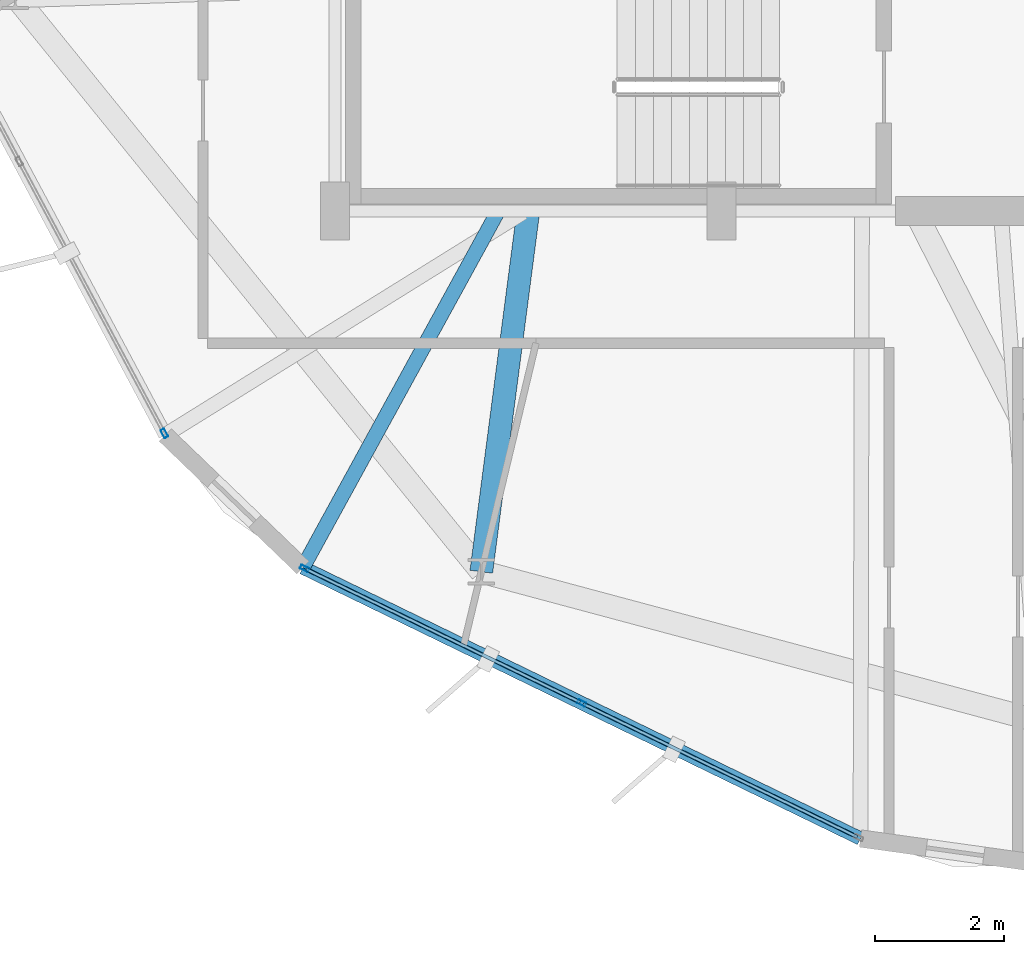
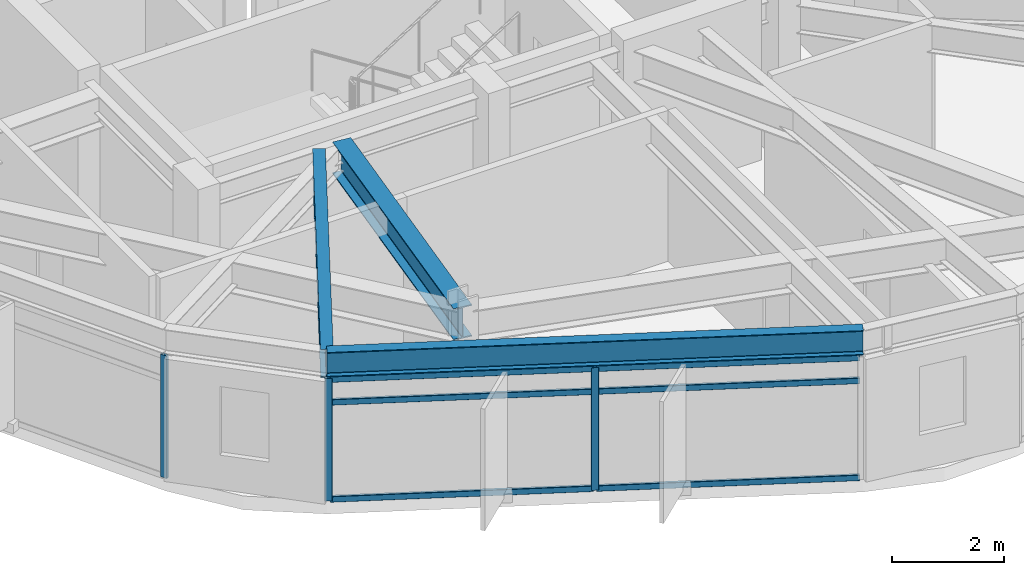
# One storey, part 2 of 28: 9 members, 3 beams, 2 elements without a shape of their own.
"""IFC4 building model written with IfcOpenShell, lengths in metres."""

from ifc_helpers import new_model, si_unit, direction, frame, origin, origin_2d, place, context, subcontext, project, spatial, hollow_rectangle, i_section, extrude, material, layer, layer_set, material_profile, profile_set, type_object, element, aggregate, save


model = new_model("IFC4")

# Units and contexts
model_context = context("Model", 3, precision=1e-05, world=origin(), true_north=direction((0.0, 1.0)))
body_context = subcontext(model_context, "Body", "Model", "MODEL_VIEW")
ifc_project = project(units=[si_unit("LENGTHUNIT", "METRE"), si_unit("AREAUNIT", "SQUARE_METRE"), si_unit("VOLUMEUNIT", "CUBIC_METRE"), si_unit("PLANEANGLEUNIT", "RADIAN"), si_unit("MASSUNIT", "GRAM", prefix="KILO")], contexts=[model_context])

# Site, building, storey
site_placement = place(None, origin())
site = spatial("IfcSite", under=ifc_project, at=site_placement, CompositionType="ELEMENT")
building_placement = place(site_placement, origin())
building = spatial("IfcBuilding", under=site, at=building_placement, Name="Soratama Intermodal Tower", CompositionType="ELEMENT")
storey_placement = place(building_placement, frame((0.0, 0.0, 205.0)))
storey = spatial("IfcBuildingStorey", under=building, at=storey_placement, Name="L51", CompositionType="ELEMENT", Elevation=205.0)

# Beams
ifc_material_1 = material(Name="Structural steel ASTM A992 Grade 50", Category="steel")
ifc_material_profile_1 = material_profile(ifc_material_1, i_section(OverallWidth=0.35498046875, OverallDepth=0.695068359375, WebThickness=0.015380859375, FlangeThickness=0.02490234375, FilletRadius=0.01611328125, at=origin_2d()), Name="W27X146")
ifc_profile_set_1 = profile_set([ifc_material_profile_1], Name="Structural steel ASTM A992 Grade 50")
beam_type_1 = type_object("IfcBeamType", Name="BM-RING-W27X146", PredefinedType="BEAM", material=ifc_profile_set_1)
beam_1_placement = place(storey_placement, frame((35.60009765625, 15.0, 2.952392578125), z_axis=(-0.129280033694, -0.991608124658, 0.0), x_axis=(0.991608124658, -0.129280033694, 0.0)))
element("IfcBeam", 1, at=beam_1_placement, inside=storey, type_object=beam_type_1, Name="BM-L51-RAD-07", PredefinedType="BEAM", context=body_context, shape_type="SweptSolid", body=[
    extrude(i_section(OverallWidth=0.35498046875, OverallDepth=0.695068359375, WebThickness=0.015380859375, FlangeThickness=0.02490234375, FilletRadius=0.01611328125, at=origin_2d()), origin(), (0.0, 0.0, 1.0), 5.646484375),
])
ifc_material_2 = material(Name="Structural steel ASTM A992 Grade 50", Category="steel")
ifc_material_profile_2 = material_profile(ifc_material_2, i_section(OverallWidth=0.2099609375, OverallDepth=0.537109375, WebThickness=0.010986328125, FlangeThickness=0.017333984375, FilletRadius=0.012939453125, at=origin_2d()), Name="W21X68")
ifc_profile_set_2 = profile_set([ifc_material_profile_2], Name="Structural steel ASTM A992 Grade 50")
beam_type_2 = type_object("IfcBeamType", Name="BM-SPN-W21X68", PredefinedType="SPANDREL", material=ifc_profile_set_2)
beam_2_placement = place(storey_placement, frame((32.10009765625, 9.466064453125, 3.031494140625), z_axis=(0.899398467669, -0.437129724859, 0.0), x_axis=(0.437129724859, 0.899398467669, 0.0)))
element("IfcBeam", 2, at=beam_2_placement, inside=storey, type_object=beam_type_2, Name="BS-L51-F06", PredefinedType="SPANDREL", context=body_context, shape_type="SweptSolid", body=[
    extrude(i_section(OverallWidth=0.2099609375, OverallDepth=0.537109375, WebThickness=0.010986328125, FlangeThickness=0.017333984375, FilletRadius=0.012939453125, at=origin_2d()), origin(), (0.0, 0.0, 1.0), 9.624267578125),
])
ifc_material_3 = material(Name="Structural steel ASTM A992 Grade 50", Category="steel")
ifc_material_profile_3 = material_profile(ifc_material_3, i_section(OverallWidth=0.22900390625, OverallDepth=0.612060546875, WebThickness=0.011962890625, FlangeThickness=0.01953125, FilletRadius=0.012939453125, at=origin_2d()), Name="W24X84")
ifc_profile_set_3 = profile_set([ifc_material_profile_3], Name="Structural steel ASTM A992 Grade 50")
beam_type_3 = type_object("IfcBeamType", Name="BM-TIE-W24X84", PredefinedType="BEAM", material=ifc_profile_set_3)
beam_3_placement = place(storey_placement, frame((35.112060546875, 14.965087890625, 2.993896484375), z_axis=(-0.48038737028, -0.87705642605, 0.0), x_axis=(0.87705642605, -0.48038737028, 0.0)))
element("IfcBeam", 3, at=beam_3_placement, inside=storey, type_object=beam_type_3, Name="BM-L51-TIE0-06", PredefinedType="BEAM", context=body_context, shape_type="SweptSolid", body=[
    extrude(i_section(OverallWidth=0.22900390625, OverallDepth=0.612060546875, WebThickness=0.011962890625, FlangeThickness=0.01953125, FilletRadius=0.012939453125, at=origin_2d()), origin(), (0.0, 0.0, 1.0), 6.269775390625),
])

# Curtain wall, member
ifc_material_4 = material(Name="Double-glazed aluminium curtain wall", Category="aluminium")
ifc_layer = layer(ifc_material_4, 0.159912109375)
ifc_layer_set = layer_set([ifc_layer], Name="Double-glazed aluminium curtain wall")
curtain_wall_type = type_object("IfcCurtainWallType", Name="CW-SYS-5", PredefinedType="NOTDEFINED", material=ifc_layer_set)
curtain_wall_1_placement = place(storey_placement, origin())
curtain_wall_1 = element("IfcCurtainWall", 4, at=curtain_wall_1_placement, inside=storey, type_object=curtain_wall_type, Name="L51 Faceted Curtain Wall F05", PredefinedType="NOTDEFINED")
ifc_material_5 = material(Name="Anodised aluminium AA 6063-T6", Category="aluminium")
ifc_material_profile_4 = material_profile(ifc_material_5, hollow_rectangle(XDim=0.06494140625, YDim=0.139892578125, WallThickness=0.0048828125, InnerFilletRadius=0.0048828125, OuterFilletRadius=0.010009765625, at=origin_2d()), Name="CWM140X65X5")
ifc_profile_set_4 = profile_set([ifc_material_profile_4], Name="Anodised aluminium AA 6063-T6")
member_type_1 = type_object("IfcMemberType", Name="MT-CWM-5", PredefinedType="MULLION", material=ifc_profile_set_4)
member_1_placement = place(storey_placement, frame((29.94921875, 11.55029296875, 0.0), z_axis=(0.0, 0.0, 1.0), x_axis=(0.882289942268, 0.47070633921, 0.0)))
member_1 = element("IfcMember", 5, at=member_1_placement, type_object=member_type_1, Name="CW-5 mullion 3", PredefinedType="MULLION", context=body_context, shape_type="SweptSolid", body=[
    extrude(hollow_rectangle(XDim=0.06494140625, YDim=0.139892578125, WallThickness=0.0048828125, InnerFilletRadius=0.0048828125, OuterFilletRadius=0.010009765625, at=origin_2d()), origin(), (0.0, 0.0, 1.0), 2.678955078125),
])
aggregate(curtain_wall_1, [member_1])

# Curtain wall, members
curtain_wall_2_placement = place(storey_placement, origin())
curtain_wall_2 = element("IfcCurtainWall", 6, at=curtain_wall_2_placement, inside=storey, type_object=curtain_wall_type, Name="L51 Faceted Curtain Wall F06", PredefinedType="NOTDEFINED")
member_2_placement = place(storey_placement, frame((32.127197265625, 9.452880859375, 0.0), z_axis=(0.0, 0.0, 1.0), x_axis=(0.437110527293, 0.899407797904, 0.0)))
member_2 = element("IfcMember", 7, at=member_2_placement, type_object=member_type_1, Name="CW-5 mullion 1", PredefinedType="MULLION", context=body_context, shape_type="SweptSolid", body=[
    extrude(hollow_rectangle(XDim=0.06494140625, YDim=0.139892578125, WallThickness=0.0048828125, InnerFilletRadius=0.0048828125, OuterFilletRadius=0.010009765625, at=origin_2d()), origin(), (0.0, 0.0, 1.0), 2.678955078125),
])
member_3_placement = place(storey_placement, frame((36.42822265625, 7.36279296875, 0.0), z_axis=(0.0, 0.0, 1.0), x_axis=(0.437110527293, 0.899407797904, 0.0)))
member_3 = element("IfcMember", 8, at=member_3_placement, type_object=member_type_1, Name="CW-5 mullion 2", PredefinedType="MULLION", context=body_context, shape_type="SweptSolid", body=[
    extrude(hollow_rectangle(XDim=0.06494140625, YDim=0.139892578125, WallThickness=0.0048828125, InnerFilletRadius=0.0048828125, OuterFilletRadius=0.010009765625, at=origin_2d()), origin(), (0.0, 0.0, 1.0), 2.678955078125),
])
ifc_material_6 = material(Name="Anodised aluminium AA 6063-T6", Category="aluminium")
ifc_material_profile_5 = material_profile(ifc_material_6, hollow_rectangle(XDim=0.06005859375, YDim=0.1298828125, WallThickness=0.0048828125, InnerFilletRadius=0.0048828125, OuterFilletRadius=0.010009765625, at=origin_2d()), Name="CWT130X60X5")
ifc_profile_set_5 = profile_set([ifc_material_profile_5], Name="Anodised aluminium AA 6063-T6")
member_type_2 = type_object("IfcMemberType", Name="TT-CWT-2", PredefinedType="USERDEFINED", material=ifc_profile_set_5)
member_4_placement = place(storey_placement, frame((32.154052734375, 9.43994140625, 0.030029296875), z_axis=(0.899396086715, -0.437134623659, 0.0), x_axis=(0.437134623659, 0.899396086715, 0.0)))
member_4 = element("IfcMember", 9, at=member_4_placement, type_object=member_type_2, Name="CW-5 transom 1.1", ObjectType="TRANSOM", PredefinedType="USERDEFINED", context=body_context, shape_type="SweptSolid", body=[
    extrude(hollow_rectangle(XDim=0.06005859375, YDim=0.1298828125, WallThickness=0.0048828125, InnerFilletRadius=0.0048828125, OuterFilletRadius=0.010009765625, at=origin_2d()), origin(), (0.0, 0.0, 1.0), 4.72216796875),
])
member_5_placement = place(storey_placement, frame((32.154052734375, 9.43994140625, 2.14990234375), z_axis=(0.899396086715, -0.437134623659, 0.0), x_axis=(0.437134623659, 0.899396086715, 0.0)))
member_5 = element("IfcMember", 10, at=member_5_placement, type_object=member_type_2, Name="CW-5 transom 1.2", ObjectType="TRANSOM", PredefinedType="USERDEFINED", context=body_context, shape_type="SweptSolid", body=[
    extrude(hollow_rectangle(XDim=0.06005859375, YDim=0.1298828125, WallThickness=0.0048828125, InnerFilletRadius=0.0048828125, OuterFilletRadius=0.010009765625, at=origin_2d()), origin(), (0.0, 0.0, 1.0), 4.72216796875),
])
member_6_placement = place(storey_placement, frame((32.154052734375, 9.43994140625, 2.64892578125), z_axis=(0.899396086715, -0.437134623659, 0.0), x_axis=(0.437134623659, 0.899396086715, 0.0)))
member_6 = element("IfcMember", 11, at=member_6_placement, type_object=member_type_2, Name="CW-5 transom 1.3", ObjectType="TRANSOM", PredefinedType="USERDEFINED", context=body_context, shape_type="SweptSolid", body=[
    extrude(hollow_rectangle(XDim=0.06005859375, YDim=0.1298828125, WallThickness=0.0048828125, InnerFilletRadius=0.0048828125, OuterFilletRadius=0.010009765625, at=origin_2d()), origin(), (0.0, 0.0, 1.0), 4.72216796875),
])
member_7_placement = place(storey_placement, frame((36.455078125, 7.349609375, 0.030029296875), z_axis=(0.899416412945, -0.437092800359, 0.0), x_axis=(0.437092800359, 0.899416412945, 0.0)))
member_7 = element("IfcMember", 12, at=member_7_placement, type_object=member_type_2, Name="CW-5 transom 2.1", ObjectType="TRANSOM", PredefinedType="USERDEFINED", context=body_context, shape_type="SweptSolid", body=[
    extrude(hollow_rectangle(XDim=0.06005859375, YDim=0.1298828125, WallThickness=0.0048828125, InnerFilletRadius=0.0048828125, OuterFilletRadius=0.010009765625, at=origin_2d()), origin(), (0.0, 0.0, 1.0), 4.721923828125),
])
member_8_placement = place(storey_placement, frame((36.455078125, 7.349609375, 2.14990234375), z_axis=(0.899416412945, -0.437092800359, 0.0), x_axis=(0.437092800359, 0.899416412945, 0.0)))
member_8 = element("IfcMember", 13, at=member_8_placement, type_object=member_type_2, Name="CW-5 transom 2.2", ObjectType="TRANSOM", PredefinedType="USERDEFINED", context=body_context, shape_type="SweptSolid", body=[
    extrude(hollow_rectangle(XDim=0.06005859375, YDim=0.1298828125, WallThickness=0.0048828125, InnerFilletRadius=0.0048828125, OuterFilletRadius=0.010009765625, at=origin_2d()), origin(), (0.0, 0.0, 1.0), 4.721923828125),
])
member_9_placement = place(storey_placement, frame((36.455078125, 7.349609375, 2.64892578125), z_axis=(0.899416412945, -0.437092800359, 0.0), x_axis=(0.437092800359, 0.899416412945, 0.0)))
member_9 = element("IfcMember", 14, at=member_9_placement, type_object=member_type_2, Name="CW-5 transom 2.3", ObjectType="TRANSOM", PredefinedType="USERDEFINED", context=body_context, shape_type="SweptSolid", body=[
    extrude(hollow_rectangle(XDim=0.06005859375, YDim=0.1298828125, WallThickness=0.0048828125, InnerFilletRadius=0.0048828125, OuterFilletRadius=0.010009765625, at=origin_2d()), origin(), (0.0, 0.0, 1.0), 4.721923828125),
])
aggregate(curtain_wall_2, [member_2, member_3, member_4, member_5, member_6, member_7, member_8, member_9])

save(model, "model.ifc")
